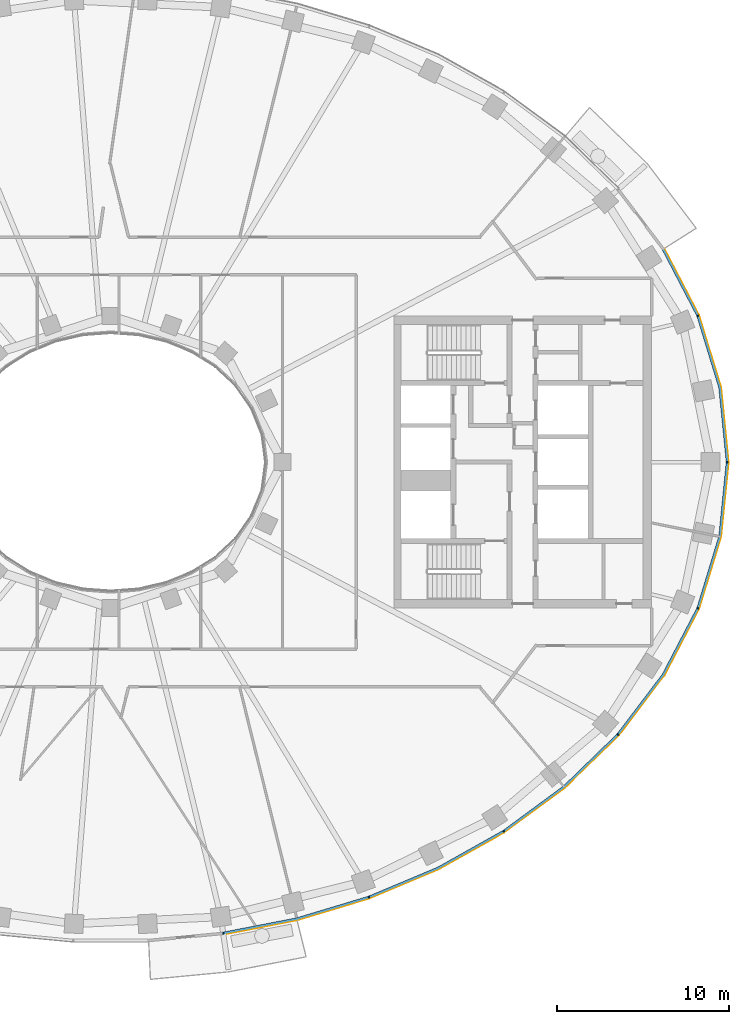
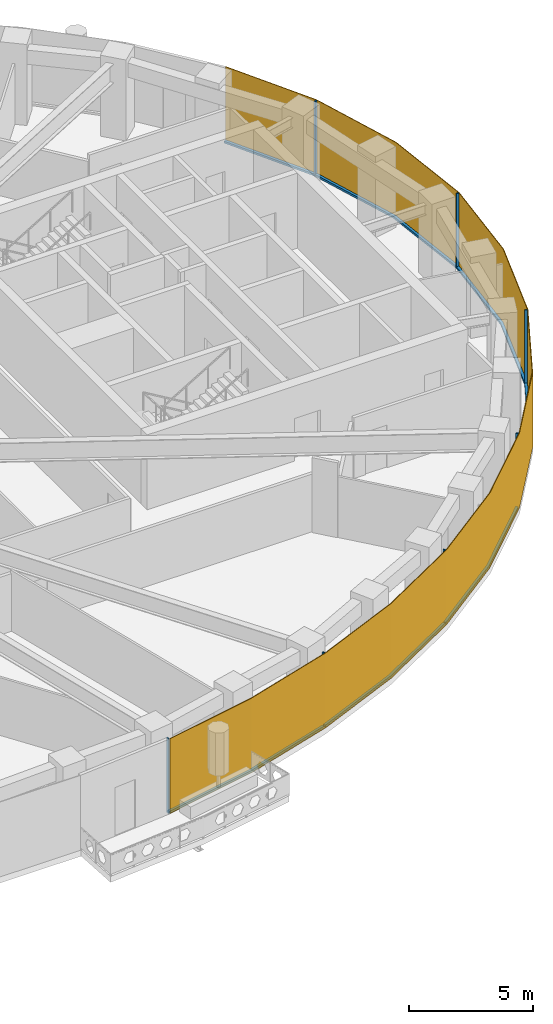
# One storey, part 10 of 16: 14 members, 1 curtain wall.
"""IFC4 building model written with IfcOpenShell, lengths in metres."""

from ifc_helpers import new_model, si_unit, direction, frame, origin, origin_2d, place, context, subcontext, project, spatial, polyline, rectangle, outline, extrude, material, layer, layer_set, material_profile, profile_set, type_object, element, aggregate, save


model = new_model("IFC4")

# Units and contexts
model_context = context("Model", 3, precision=1e-05, world=origin(), true_north=direction((0.0, 1.0)))
body_context = subcontext(model_context, "Body", "Model", "MODEL_VIEW")
ifc_project = project(units=[si_unit("LENGTHUNIT", "METRE"), si_unit("AREAUNIT", "SQUARE_METRE"), si_unit("VOLUMEUNIT", "CUBIC_METRE"), si_unit("PLANEANGLEUNIT", "RADIAN"), si_unit("MASSUNIT", "GRAM", prefix="KILO")], contexts=[model_context])

# Member
ifc_material_1 = material(Name="Aluminium 6063-T6 black anodised", Category="aluminium")
ifc_material_profile = material_profile(ifc_material_1, rectangle(XDim=0.1201171875, YDim=0.06005859375, at=origin_2d()), Name="120x60")
ifc_profile_set = profile_set([ifc_material_profile], Name="Aluminium 6063-T6 black anodised")
member_type_1 = type_object("IfcMemberType", Name="ENV-MULLION-A-120", PredefinedType="MULLION", material=ifc_profile_set)
site_placement = place(None, origin())
building_placement = place(site_placement, origin())
storey_placement = place(building_placement, frame((0.0, 0.0, 257.5)))
member_1_placement = place(storey_placement, frame((6.54638671875, -27.440185546875, 0.0), z_axis=(0.0, 0.0, 1.0), x_axis=(-0.143082012705, 0.989710835366, 0.0)))
member_1 = element("IfcMember", 1, at=member_1_placement, type_object=member_type_1, Name="Mullion A radial 37", PredefinedType="MULLION", context=body_context, shape_type="SweptSolid", body=[
    extrude(rectangle(XDim=0.1201171875, YDim=0.06005859375, at=origin_2d()), origin(), (0.0, 0.0, 1.0), 3.699951171875),
])

member_2_placement = place(storey_placement, frame((15.0341796875, -25.34375, 0.0), z_axis=(0.0, 0.0, 1.0), x_axis=(-0.338379256581, 0.941009818608, 0.0)))
member_2 = element("IfcMember", 2, at=member_2_placement, type_object=member_type_1, Name="Mullion A radial 39", PredefinedType="MULLION", context=body_context, shape_type="SweptSolid", body=[
    extrude(rectangle(XDim=0.1201171875, YDim=0.06005859375, at=origin_2d()), origin(), (0.0, 0.0, 1.0), 3.699951171875),
])

member_3_placement = place(storey_placement, frame((22.882568359375, -21.506591796875, 0.0), z_axis=(0.0, 0.0, 1.0), x_axis=(-0.542279153225, 0.840198381323, 0.0)))
member_3 = element("IfcMember", 3, at=member_3_placement, type_object=member_type_1, Name="Mullion A radial 41", PredefinedType="MULLION", context=body_context, shape_type="SweptSolid", body=[
    extrude(rectangle(XDim=0.1201171875, YDim=0.06005859375, at=origin_2d()), origin(), (0.0, 0.0, 1.0), 3.699951171875),
])

member_4_placement = place(storey_placement, frame((29.53857421875, -15.8671875, 0.0), z_axis=(0.0, 0.0, 1.0), x_axis=(-0.749047221705, 0.662516610853, 0.0)))
member_4 = element("IfcMember", 4, at=member_4_placement, type_object=member_type_1, Name="Mullion A radial 43", PredefinedType="MULLION", context=body_context, shape_type="SweptSolid", body=[
    extrude(rectangle(XDim=0.1201171875, YDim=0.06005859375, at=origin_2d()), origin(), (0.0, 0.0, 1.0), 3.699951171875),
])

member_5_placement = place(storey_placement, frame((34.19580078125, -8.513916015625, 0.0), z_axis=(0.0, 0.0, 1.0), x_axis=(-0.92546738067, 0.378827305398, 0.0)))
member_5 = element("IfcMember", 5, at=member_5_placement, type_object=member_type_1, Name="Mullion A radial 45", PredefinedType="MULLION", context=body_context, shape_type="SweptSolid", body=[
    extrude(rectangle(XDim=0.1201171875, YDim=0.06005859375, at=origin_2d()), origin(), (0.0, 0.0, 1.0), 3.699951171875),
])

member_6_placement = place(storey_placement, frame((35.907958984375, 0.0, 0.0), z_axis=(0.0, 0.0, 1.0), x_axis=(-1.0, 0.0, 0.0)))
member_6 = element("IfcMember", 6, at=member_6_placement, type_object=member_type_1, Name="Mullion A radial 01", PredefinedType="MULLION", context=body_context, shape_type="SweptSolid", body=[
    extrude(rectangle(XDim=0.1201171875, YDim=0.06005859375, at=origin_2d()), origin(), (0.0, 0.0, 1.0), 3.699951171875),
])

member_7_placement = place(storey_placement, frame((34.19580078125, 8.513916015625, 0.0), z_axis=(0.0, 0.0, 1.0), x_axis=(-0.92546738067, -0.378827305398, 0.0)))
member_7 = element("IfcMember", 7, at=member_7_placement, type_object=member_type_1, Name="Mullion A radial 03", PredefinedType="MULLION", context=body_context, shape_type="SweptSolid", body=[
    extrude(rectangle(XDim=0.1201171875, YDim=0.06005859375, at=origin_2d()), origin(), (0.0, 0.0, 1.0), 3.699951171875),
])

ifc_material_2 = material(Name="Aluminium 6063-T6 black anodised", Category="aluminium")
member_type_2 = type_object("IfcMemberType", Name="ENV-TRANSOM-A", PredefinedType="USERDEFINED", material=ifc_material_2)
member_8_placement = place(storey_placement, origin())
member_8 = element("IfcMember", 8, at=member_8_placement, type_object=member_type_2, Name="Transom A radial 37-39", ObjectType="TRANSOM", PredefinedType="USERDEFINED", context=body_context, shape_type="SweptSolid", body=[
    extrude(outline(polyline([(6.58251953125, -27.494140625), (10.857666015625, -26.6630859375), (15.027587890625, -25.408203125), (14.987060546875, -25.295166015625), (10.828857421875, -26.54638671875), (6.5654296875, -27.375244140625), (6.58251953125, -27.494140625)])), origin(), (0.0, 0.0, 1.0), 0.10009765625),
])

member_9_placement = place(storey_placement, origin())
member_9 = element("IfcMember", 9, at=member_9_placement, type_object=member_type_2, Name="Transom A radial 39-41", ObjectType="TRANSOM", PredefinedType="USERDEFINED", context=body_context, shape_type="SweptSolid", body=[
    extrude(outline(polyline([(15.080322265625, -25.389404296875), (19.093994140625, -23.701416015625), (22.890625, -21.570556640625), (22.825439453125, -21.469482421875), (19.041259765625, -23.593505859375), (15.03955078125, -25.276123046875), (15.080322265625, -25.389404296875)])), origin(), (0.0, 0.0, 1.0), 0.10009765625),
])

member_10_placement = place(storey_placement, origin())
member_10 = element("IfcMember", 10, at=member_10_placement, type_object=member_type_2, Name="Transom A radial 41-43", ObjectType="TRANSOM", PredefinedType="USERDEFINED", context=body_context, shape_type="SweptSolid", body=[
    extrude(outline(polyline([(22.937744140625, -21.540283203125), (26.4423828125, -18.958740234375), (29.5634765625, -15.926513671875), (29.473388671875, -15.8466796875), (26.364501953125, -18.866943359375), (22.87255859375, -21.439208984375), (22.937744140625, -21.540283203125)])), origin(), (0.0, 0.0, 1.0), 0.10009765625),
])

member_11_placement = place(storey_placement, origin())
member_11 = element("IfcMember", 11, at=member_11_placement, type_object=member_type_2, Name="Transom A radial 43-45", ObjectType="TRANSOM", PredefinedType="USERDEFINED", context=body_context, shape_type="SweptSolid", body=[
    extrude(outline(polyline([(29.6005859375, -15.884521484375), (32.22802734375, -12.41748046875), (34.23828125, -8.5615234375), (34.126708984375, -8.515869140625), (32.126220703125, -12.35302734375), (29.51025390625, -15.8046875), (29.6005859375, -15.884521484375)])), origin(), (0.0, 0.0, 1.0), 0.10009765625),
])

member_12_placement = place(storey_placement, origin())
member_12 = element("IfcMember", 12, at=member_12_placement, type_object=member_type_2, Name="Transom A radial 45-01", ObjectType="TRANSOM", PredefinedType="USERDEFINED", context=body_context, shape_type="SweptSolid", body=[
    extrude(outline(polyline([(34.259521484375, -8.509765625), (35.529541015625, -4.352294921875), (35.965087890625, -0.02783203125), (35.844482421875, -0.02783203125), (35.411376953125, -4.32861328125), (34.14794921875, -8.464111328125), (34.259521484375, -8.509765625)])), origin(), (0.0, 0.0, 1.0), 0.10009765625),
])

member_13_placement = place(storey_placement, origin())
member_13 = element("IfcMember", 13, at=member_13_placement, type_object=member_type_2, Name="Transom A radial 01-03", ObjectType="TRANSOM", PredefinedType="USERDEFINED", context=body_context, shape_type="SweptSolid", body=[
    extrude(outline(polyline([(35.965087890625, 0.02783203125), (35.529541015625, 4.352294921875), (34.259521484375, 8.509765625), (34.14794921875, 8.464111328125), (35.411376953125, 4.32861328125), (35.844482421875, 0.02783203125), (35.965087890625, 0.02783203125)])), origin(), (0.0, 0.0, 1.0), 0.10009765625),
])

member_14_placement = place(storey_placement, origin())
member_14 = element("IfcMember", 14, at=member_14_placement, type_object=member_type_2, Name="Transom A radial 03-04", ObjectType="TRANSOM", PredefinedType="USERDEFINED", context=body_context, shape_type="SweptSolid", body=[
    extrude(outline(polyline([(34.23828125, 8.5615234375), (32.2373046875, 12.39990234375), (32.135498046875, 12.33544921875), (34.126708984375, 8.515869140625), (34.23828125, 8.5615234375)])), origin(), (0.0, 0.0, 1.0), 0.10009765625),
])

# Site, building, storey
site = spatial("IfcSite", under=ifc_project, at=site_placement, CompositionType="ELEMENT")
building = spatial("IfcBuilding", under=site, at=building_placement, Name="Noorbagh Ring Tower", CompositionType="ELEMENT")
storey = spatial("IfcBuildingStorey", under=building, at=storey_placement, Name="L54", CompositionType="ELEMENT", Elevation=257.5)

# Curtain wall
ifc_material_3 = material(Name="Glass dark tinted laminated", Category="glass")
ifc_layer = layer(ifc_material_3, 0.031982421875)
ifc_layer_set = layer_set([ifc_layer], Name="Glass dark tinted laminated")
curtain_wall_type = type_object("IfcCurtainWallType", Name="ENV-CW-A", PredefinedType="NOTDEFINED", material=ifc_layer_set)
curtain_wall_placement = place(storey_placement, origin())
curtain_wall = element("IfcCurtainWall", 15, at=curtain_wall_placement, inside=storey, type_object=curtain_wall_type, Name="Curtain wall A R37", PredefinedType="NOTDEFINED", context=body_context, shape_type="SweptSolid", body=[
    extrude(outline(polyline([(6.579345703125, -27.52734375), (10.865234375, -26.6943359375), (15.065185546875, -25.430419921875), (19.108154296875, -23.730224609375), (22.9326171875, -21.583740234375), (26.463134765625, -18.9833984375), (29.607666015625, -15.927978515625), (32.255126953125, -12.434814453125), (34.281005859375, -8.548828125), (35.561279296875, -4.358642578125), (36.0, 0.0), (35.561279296875, 4.358642578125), (34.281005859375, 8.548828125), (32.264404296875, 12.4169921875), (32.2373046875, 12.39990234375), (34.251220703125, 8.53662109375), (35.529541015625, 4.352294921875), (35.9677734375, 0.0), (35.529541015625, -4.352294921875), (34.251220703125, -8.53662109375), (32.22802734375, -12.41748046875), (29.58349609375, -15.906982421875), (26.4423828125, -18.958740234375), (22.9150390625, -21.556884765625), (19.093994140625, -23.701416015625), (15.054443359375, -25.400146484375), (10.857666015625, -26.6630859375), (6.57470703125, -27.49560546875), (6.579345703125, -27.52734375)])), origin(), (0.0, 0.0, 1.0), 3.699951171875),
])

aggregate(curtain_wall, [member_1, member_2, member_3, member_4, member_5, member_6, member_7, member_8, member_9, member_10, member_11, member_12, member_13, member_14])

save(model, "model.ifc")
